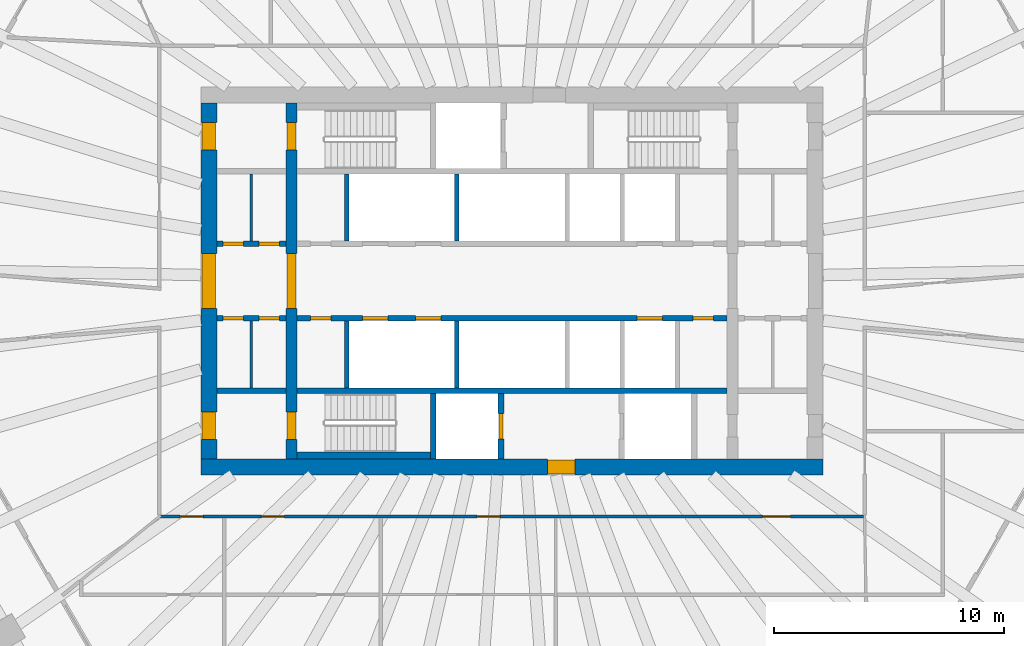
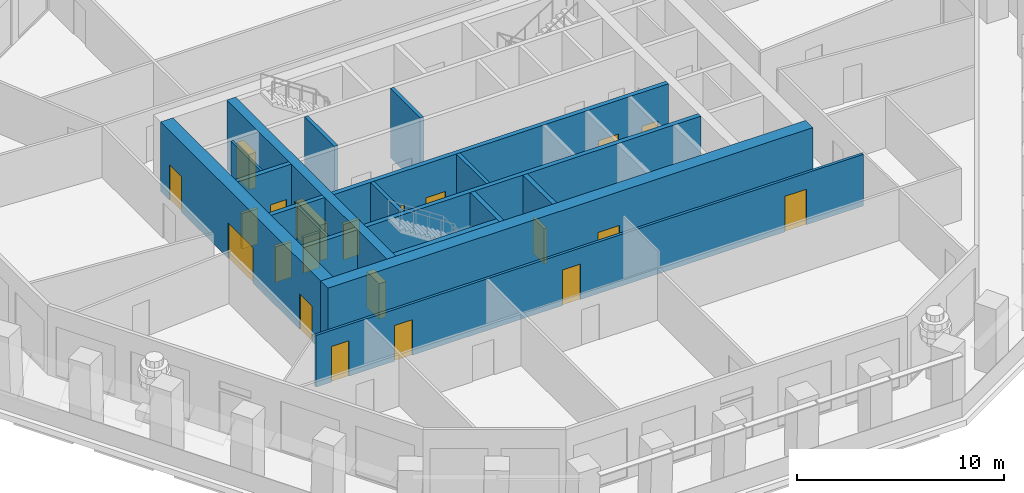
# One storey, part 4 of 12: 21 doors, 18 walls, 21 openings.
"""IFC4 building model written with IfcOpenShell, lengths in metres."""

from ifc_helpers import new_model, si_unit, direction, frame, frame_2d, origin, place, context, subcontext, project, spatial, rectangle, extrude, material, layer, layer_set, type_object, element, fill, save


model = new_model("IFC4")

# Units and contexts
model_context = context("Model", 3, precision=1e-05, world=origin(), true_north=direction((0.0, 1.0)))
body_context = subcontext(model_context, "Body", "Model", "MODEL_VIEW")
ifc_project = project(units=[si_unit("LENGTHUNIT", "METRE"), si_unit("AREAUNIT", "SQUARE_METRE"), si_unit("VOLUMEUNIT", "CUBIC_METRE"), si_unit("PLANEANGLEUNIT", "RADIAN"), si_unit("MASSUNIT", "GRAM", prefix="KILO")], contexts=[model_context])

# Site, building, storey
site_placement = place(None, origin())
site = spatial("IfcSite", under=ifc_project, at=site_placement, CompositionType="ELEMENT")
building_placement = place(site_placement, origin())
building = spatial("IfcBuilding", under=site, at=building_placement, Name="Frailejon Research Tower", CompositionType="ELEMENT")
storey_placement = place(building_placement, frame((0.0, 0.0, 162.800048828125)))
storey = spatial("IfcBuildingStorey", under=building, at=storey_placement, Name="L35", CompositionType="ELEMENT", Elevation=162.800048828125)

# Walls
ifc_material_1 = material(Name="Plasterboard on steel studs", Category="steel")
ifc_layer_1 = layer(ifc_material_1, 0.125)
ifc_layer_set_1 = layer_set([ifc_layer_1], Name="Core partition 125")
wall_type_1 = type_object("IfcWallType", Name="Core partition 125", PredefinedType="PARTITIONING", material=ifc_layer_set_1)
for number, where, z_axis, x_axis, name in (
    (1, (-11.35009765625, 1.75, 0.0), (0.0, 0.0, 1.0), (0.0, 1.0, 0.0), "Core partition"),
    (2, (-11.35009765625, -4.64990234375, 0.0), (0.0, 0.0, 1.0), (0.0, 1.0, 0.0), "Core partition"),
):
    element("IfcWall", number, at=place(storey_placement, frame(where, z_axis=z_axis, x_axis=x_axis)), inside=storey, type_object=wall_type_1, Name=name, PredefinedType="PARTITIONING", context=body_context, shape_type="SweptSolid", body=[
        extrude(rectangle(XDim=2.89990234375, YDim=0.125, at=frame_2d((1.449951171875, 0.0))), origin(), (0.0, 0.0, 1.0), 4.099853515625),
    ])

# Wall, openings, doors
ifc_material_2 = material(Name="Concrete C60/75", Category="concrete")
ifc_layer_2 = layer(ifc_material_2, 0.5)
ifc_layer_set_2 = layer_set([ifc_layer_2], Name="Core shear wall 500 C60/75")
wall_type_2 = type_object("IfcWallType", Name="Core shear wall 500 C60/75", PredefinedType="SHEAR", material=ifc_layer_set_2)
wall_1_placement = place(storey_placement, frame((-9.60009765625, -7.75, 0.0), z_axis=(0.0, 0.0, 1.0), x_axis=(0.0, 1.0, 0.0)))
wall_1 = element("IfcWall", 3, at=wall_1_placement, inside=storey, type_object=wall_type_2, Name="Core shear wall", PredefinedType="SHEAR", context=body_context, shape_type="SweptSolid", body=[
    extrude(rectangle(XDim=15.5, YDim=0.5, at=frame_2d((7.75, 0.0))), origin(), (0.0, 0.0, 1.0), 4.099853515625),
])
opening_1_placement = place(wall_1_placement, frame((6.550048828125, 0.0, 0.0)))
opening_1 = element("IfcOpeningElement", 4, at=opening_1_placement, cuts=wall_1, Name="Opening D2", PredefinedType="OPENING", context=body_context, shape_type="SweptSolid", body=[
    extrude(rectangle(XDim=2.39990234375, YDim=2.10009765625, at=frame_2d((1.199951171875, 1.050048828125))), frame((0.0, 0.260009765625, 0.0), z_axis=(0.0, -1.0, 0.0), x_axis=(1.0, 0.0, 0.0)), (0.0, 0.0, 1.0), 0.52001953125),
])
opening_2_placement = place(wall_1_placement, frame((13.449951171875, 0.0, 0.0)))
opening_2 = element("IfcOpeningElement", 5, at=opening_2_placement, cuts=wall_1, Name="Opening D1", PredefinedType="OPENING", context=body_context, shape_type="SweptSolid", body=[
    extrude(rectangle(XDim=1.199951171875, YDim=2.10009765625, at=frame_2d((0.60009765625, 1.050048828125))), frame((0.0, 0.260009765625, 0.0), z_axis=(0.0, -1.0, 0.0), x_axis=(1.0, 0.0, 0.0)), (0.0, 0.0, 1.0), 0.52001953125),
])
opening_3_placement = place(wall_1_placement, frame((0.85009765625, 0.0, 0.0)))
opening_3 = element("IfcOpeningElement", 6, at=opening_3_placement, cuts=wall_1, Name="Opening D1", PredefinedType="OPENING", context=body_context, shape_type="SweptSolid", body=[
    extrude(rectangle(XDim=1.199951171875, YDim=2.10009765625, at=frame_2d((0.60009765625, 1.050048828125))), frame((0.0, 0.260009765625, 0.0), z_axis=(0.0, -1.0, 0.0), x_axis=(1.0, 0.0, 0.0)), (0.0, 0.0, 1.0), 0.52001953125),
])
ifc_material_3 = material(Name="Steel", Category="steel")
door_type_1 = type_object("IfcDoorType", Name="Lobby double door", OperationType="DOUBLE_DOOR_SINGLE_SWING", PredefinedType="DOOR", material=ifc_material_3)
door_1_placement = place(opening_1_placement, origin())
door_1 = element("IfcDoor", 7, at=door_1_placement, inside=storey, type_object=door_type_1, Name="Lobby door", OperationType="DOUBLE_DOOR_SINGLE_SWING", OverallHeight=2.10009765625, OverallWidth=2.39990234375, PredefinedType="DOOR", context=body_context, shape_type="SweptSolid", body=[
    extrude(rectangle(XDim=2.39990234375, YDim=2.10009765625, at=frame_2d((1.199951171875, 1.050048828125))), frame((0.0, 0.199951171875, 0.0), z_axis=(0.0, -1.0, 0.0), x_axis=(1.0, 0.0, 0.0)), (0.0, 0.0, 1.0), 0.39990234375),
])
fill(opening_1, door_1)
ifc_material_4 = material(Name="Steel", Category="steel")
door_type_2 = type_object("IfcDoorType", Name="Stair door", OperationType="SINGLE_SWING_LEFT", PredefinedType="DOOR", material=ifc_material_4)
door_2_placement = place(opening_2_placement, origin())
door_2 = element("IfcDoor", 8, at=door_2_placement, inside=storey, type_object=door_type_2, Name="Stair door ST1", OperationType="SINGLE_SWING_LEFT", OverallHeight=2.10009765625, OverallWidth=1.199951171875, PredefinedType="DOOR", context=body_context, shape_type="SweptSolid", body=[
    extrude(rectangle(XDim=1.199951171875, YDim=2.10009765625, at=frame_2d((0.60009765625, 1.050048828125))), frame((0.0, 0.199951171875, 0.0), z_axis=(0.0, -1.0, 0.0), x_axis=(1.0, 0.0, 0.0)), (0.0, 0.0, 1.0), 0.39990234375),
])
fill(opening_2, door_2)
door_3_placement = place(opening_3_placement, origin())
door_3 = element("IfcDoor", 9, at=door_3_placement, inside=storey, type_object=door_type_2, Name="Stair door ST2", OperationType="SINGLE_SWING_LEFT", OverallHeight=2.10009765625, OverallWidth=1.199951171875, PredefinedType="DOOR", context=body_context, shape_type="SweptSolid", body=[
    extrude(rectangle(XDim=1.199951171875, YDim=2.10009765625, at=frame_2d((0.60009765625, 1.050048828125))), frame((0.0, 0.199951171875, 0.0), z_axis=(0.0, -1.0, 0.0), x_axis=(1.0, 0.0, 0.0)), (0.0, 0.0, 1.0), 0.39990234375),
])
fill(opening_3, door_3)

# Wall, opening, door
ifc_material_5 = material(Name="Concrete C60/75", Category="concrete")
ifc_layer_3 = layer(ifc_material_5, 0.699951171875)
ifc_layer_set_3 = layer_set([ifc_layer_3], Name="Core shear wall 700 C60/75")
wall_type_3 = type_object("IfcWallType", Name="Core shear wall 700 C60/75", PredefinedType="SHEAR", material=ifc_layer_set_3)
wall_2_placement = place(storey_placement, frame((-13.550048828125, -8.10009765625, 0.0), z_axis=(0.0, 0.0, 1.0), x_axis=(1.0, 0.0, 0.0)))
wall_2 = element("IfcWall", 10, at=wall_2_placement, inside=storey, type_object=wall_type_3, Name="Core shear wall", PredefinedType="SHEAR", context=body_context, shape_type="SweptSolid", body=[
    extrude(rectangle(XDim=27.10009765625, YDim=0.699951171875, at=frame_2d((13.550048828125, 0.0))), origin(), (0.0, 0.0, 1.0), 4.099853515625),
])
opening_4_placement = place(wall_2_placement, frame((15.10009765625, 0.0, 0.0)))
opening_4 = element("IfcOpeningElement", 11, at=opening_4_placement, cuts=wall_2, Name="Opening D3", PredefinedType="OPENING", context=body_context, shape_type="SweptSolid", body=[
    extrude(rectangle(XDim=1.199951171875, YDim=2.10009765625, at=frame_2d((0.60009765625, 1.050048828125))), frame((0.0, 0.35986328125, 0.0), z_axis=(0.0, -1.0, 0.0), x_axis=(1.0, 0.0, 0.0)), (0.0, 0.0, 1.0), 0.719970703125),
])
ifc_material_6 = material(Name="Steel", Category="steel")
door_type_3 = type_object("IfcDoorType", Name="Firefighting lobby door", OperationType="SINGLE_SWING_LEFT", PredefinedType="DOOR", material=ifc_material_6)
door_4_placement = place(opening_4_placement, origin())
door_4 = element("IfcDoor", 12, at=door_4_placement, inside=storey, type_object=door_type_3, Name="Firefighting lobby door", OperationType="SINGLE_SWING_LEFT", OverallHeight=2.10009765625, OverallWidth=1.199951171875, PredefinedType="DOOR", context=body_context, shape_type="SweptSolid", body=[
    extrude(rectangle(XDim=1.199951171875, YDim=2.10009765625, at=frame_2d((0.60009765625, 1.050048828125))), frame((0.0, 0.300048828125, 0.0), z_axis=(0.0, -1.0, 0.0), x_axis=(1.0, 0.0, 0.0)), (0.0, 0.0, 1.0), 0.60009765625),
])
fill(opening_4, door_4)

# Wall, openings, doors
wall_3_placement = place(storey_placement, frame((-13.199951171875, -7.75, 0.0), z_axis=(0.0, 0.0, 1.0), x_axis=(0.0, 1.0, 0.0)))
wall_3 = element("IfcWall", 13, at=wall_3_placement, inside=storey, type_object=wall_type_3, Name="Core shear wall", PredefinedType="SHEAR", context=body_context, shape_type="SweptSolid", body=[
    extrude(rectangle(XDim=15.5, YDim=0.699951171875, at=frame_2d((7.75, 0.0))), origin(), (0.0, 0.0, 1.0), 4.099853515625),
])
opening_5_placement = place(wall_3_placement, frame((6.550048828125, 0.0, 0.0)))
opening_5 = element("IfcOpeningElement", 14, at=opening_5_placement, cuts=wall_3, Name="Opening D2", PredefinedType="OPENING", context=body_context, shape_type="SweptSolid", body=[
    extrude(rectangle(XDim=2.39990234375, YDim=2.10009765625, at=frame_2d((1.199951171875, 1.050048828125))), frame((0.0, 0.35986328125, 0.0), z_axis=(0.0, -1.0, 0.0), x_axis=(1.0, 0.0, 0.0)), (0.0, 0.0, 1.0), 0.719970703125),
])
opening_6_placement = place(wall_3_placement, frame((13.449951171875, 0.0, 0.0)))
opening_6 = element("IfcOpeningElement", 15, at=opening_6_placement, cuts=wall_3, Name="Opening D7", PredefinedType="OPENING", context=body_context, shape_type="SweptSolid", body=[
    extrude(rectangle(XDim=1.199951171875, YDim=2.10009765625, at=frame_2d((0.60009765625, 1.050048828125))), frame((0.0, 0.35986328125, 0.0), z_axis=(0.0, -1.0, 0.0), x_axis=(1.0, 0.0, 0.0)), (0.0, 0.0, 1.0), 0.719970703125),
])
opening_7_placement = place(wall_3_placement, frame((0.85009765625, 0.0, 0.0)))
opening_7 = element("IfcOpeningElement", 16, at=opening_7_placement, cuts=wall_3, Name="Opening D7", PredefinedType="OPENING", context=body_context, shape_type="SweptSolid", body=[
    extrude(rectangle(XDim=1.199951171875, YDim=2.10009765625, at=frame_2d((0.60009765625, 1.050048828125))), frame((0.0, 0.35986328125, 0.0), z_axis=(0.0, -1.0, 0.0), x_axis=(1.0, 0.0, 0.0)), (0.0, 0.0, 1.0), 0.719970703125),
])
door_5_placement = place(opening_5_placement, origin())
door_5 = element("IfcDoor", 17, at=door_5_placement, inside=storey, type_object=door_type_1, Name="Lobby door", OperationType="DOUBLE_DOOR_SINGLE_SWING", OverallHeight=2.10009765625, OverallWidth=2.39990234375, PredefinedType="DOOR", context=body_context, shape_type="SweptSolid", body=[
    extrude(rectangle(XDim=2.39990234375, YDim=2.10009765625, at=frame_2d((1.199951171875, 1.050048828125))), frame((0.0, 0.300048828125, 0.0), z_axis=(0.0, -1.0, 0.0), x_axis=(1.0, 0.0, 0.0)), (0.0, 0.0, 1.0), 0.60009765625),
])
fill(opening_5, door_5)
ifc_material_7 = material(Name="Steel", Category="steel")
door_type_4 = type_object("IfcDoorType", Name="Stair exit door", OperationType="SINGLE_SWING_LEFT", PredefinedType="DOOR", material=ifc_material_7)
door_6_placement = place(opening_6_placement, origin())
door_6 = element("IfcDoor", 18, at=door_6_placement, inside=storey, type_object=door_type_4, Name="Stair exit door ST1", OperationType="SINGLE_SWING_RIGHT", OverallHeight=2.10009765625, OverallWidth=1.199951171875, PredefinedType="DOOR", context=body_context, shape_type="SweptSolid", body=[
    extrude(rectangle(XDim=1.199951171875, YDim=2.10009765625, at=frame_2d((0.60009765625, 1.050048828125))), frame((0.0, 0.300048828125, 0.0), z_axis=(0.0, -1.0, 0.0), x_axis=(1.0, 0.0, 0.0)), (0.0, 0.0, 1.0), 0.60009765625),
])
fill(opening_6, door_6)
door_7_placement = place(opening_7_placement, origin())
door_7 = element("IfcDoor", 19, at=door_7_placement, inside=storey, type_object=door_type_4, Name="Stair exit door ST2", OperationType="SINGLE_SWING_RIGHT", OverallHeight=2.10009765625, OverallWidth=1.199951171875, PredefinedType="DOOR", context=body_context, shape_type="SweptSolid", body=[
    extrude(rectangle(XDim=1.199951171875, YDim=2.10009765625, at=frame_2d((0.60009765625, 1.050048828125))), frame((0.0, 0.300048828125, 0.0), z_axis=(0.0, -1.0, 0.0), x_axis=(1.0, 0.0, 0.0)), (0.0, 0.0, 1.0), 0.60009765625),
])
fill(opening_7, door_7)

ifc_material_8 = material(Name="Gypsum board and masonry partition", Category="masonry")
ifc_layer_4 = layer(ifc_material_8, 0.14990234375)
ifc_layer_set_4 = layer_set([ifc_layer_4], Name="Corridor wall EI 60, gypsum on steel studs 150")
wall_type_4 = type_object("IfcWallType", Name="Corridor wall EI 60, gypsum on steel studs 150", PredefinedType="PARTITIONING", material=ifc_layer_set_4)
wall_4_placement = place(storey_placement, frame((-15.300048828125, -10.25, 0.0), z_axis=(0.0, 0.0, 1.0), x_axis=(1.0, 0.0, 0.0)))
wall_4 = element("IfcWall", 20, at=wall_4_placement, inside=storey, type_object=wall_type_4, Name="T:IW:L35:006", PredefinedType="PARTITIONING", context=body_context, shape_type="SweptSolid", body=[
    extrude(rectangle(XDim=30.60009765625, YDim=0.14990234375, at=frame_2d((15.300048828125, 0.0))), origin(), (0.0, 0.0, 1.0), 3.050048828125),
])
opening_8_placement = place(wall_4_placement, frame((0.8564453125, 0.0, 0.0)))
opening_8 = element("IfcOpeningElement", 21, at=opening_8_placement, cuts=wall_4, Name="Opening D1769", PredefinedType="OPENING", context=body_context, shape_type="SweptSolid", body=[
    extrude(rectangle(XDim=1.0, YDim=2.10009765625, at=frame_2d((0.5, 1.050048828125))), frame((0.0, 0.0849609375, 0.0), z_axis=(0.0, -1.0, 0.0), x_axis=(1.0, 0.0, 0.0)), (0.0, 0.0, 1.0), 0.169921875),
])
opening_9_placement = place(wall_4_placement, frame((4.3916015625, 0.0, 0.0)))
opening_9 = element("IfcOpeningElement", 22, at=opening_9_placement, cuts=wall_4, Name="Opening D1771", PredefinedType="OPENING", context=body_context, shape_type="SweptSolid", body=[
    extrude(rectangle(XDim=1.0, YDim=2.10009765625, at=frame_2d((0.5, 1.050048828125))), frame((0.0, 0.0849609375, 0.0), z_axis=(0.0, -1.0, 0.0), x_axis=(1.0, 0.0, 0.0)), (0.0, 0.0, 1.0), 0.169921875),
])
opening_10_placement = place(wall_4_placement, frame((13.781982421875, 0.0, 0.0)))
opening_10 = element("IfcOpeningElement", 23, at=opening_10_placement, cuts=wall_4, Name="Opening D1773", PredefinedType="OPENING", context=body_context, shape_type="SweptSolid", body=[
    extrude(rectangle(XDim=1.0, YDim=2.10009765625, at=frame_2d((0.5, 1.050048828125))), frame((0.0, 0.0849609375, 0.0), z_axis=(0.0, -1.0, 0.0), x_axis=(1.0, 0.0, 0.0)), (0.0, 0.0, 1.0), 0.169921875),
])
opening_11_placement = place(wall_4_placement, frame((26.21435546875, 0.0, 0.0)))
opening_11 = element("IfcOpeningElement", 24, at=opening_11_placement, cuts=wall_4, Name="Opening D1776", PredefinedType="OPENING", context=body_context, shape_type="SweptSolid", body=[
    extrude(rectangle(XDim=1.199951171875, YDim=2.10009765625, at=frame_2d((0.60009765625, 1.050048828125))), frame((0.0, 0.0849609375, 0.0), z_axis=(0.0, -1.0, 0.0), x_axis=(1.0, 0.0, 0.0)), (0.0, 0.0, 1.0), 0.169921875),
])
ifc_material_9 = material(Name="Timber door leaf", Category="wood")
door_type_5 = type_object("IfcDoorType", Name="Door laboratory, timber, vision panel 1000", OperationType="NOTDEFINED", PredefinedType="DOOR", material=ifc_material_9)
door_8_placement = place(opening_9_placement, origin())
door_8 = element("IfcDoor", 25, at=door_8_placement, inside=storey, type_object=door_type_5, Name="D1771", OperationType="SINGLE_SWING_RIGHT", OverallHeight=2.10009765625, OverallWidth=1.0, PredefinedType="DOOR", context=body_context, shape_type="SweptSolid", body=[
    extrude(rectangle(XDim=1.0, YDim=2.10009765625, at=frame_2d((0.5, 1.050048828125))), frame((0.0, 0.02490234375, 0.0), z_axis=(0.0, -1.0, 0.0), x_axis=(1.0, 0.0, 0.0)), (0.0, 0.0, 1.0), 0.050048828125),
])
fill(opening_9, door_8)
ifc_material_10 = material(Name="Timber door leaf", Category="wood")
door_type_6 = type_object("IfcDoorType", Name="Door single leaf, timber, steel frame 1000", OperationType="NOTDEFINED", PredefinedType="DOOR", material=ifc_material_10)
door_9_placement = place(opening_8_placement, origin())
door_9 = element("IfcDoor", 26, at=door_9_placement, inside=storey, type_object=door_type_6, Name="D1769", OperationType="SINGLE_SWING_LEFT", OverallHeight=2.10009765625, OverallWidth=1.0, PredefinedType="DOOR", context=body_context, shape_type="SweptSolid", body=[
    extrude(rectangle(XDim=1.0, YDim=2.10009765625, at=frame_2d((0.5, 1.050048828125))), frame((0.0, 0.02490234375, 0.0), z_axis=(0.0, -1.0, 0.0), x_axis=(1.0, 0.0, 0.0)), (0.0, 0.0, 1.0), 0.050048828125),
])
fill(opening_8, door_9)
door_10_placement = place(opening_10_placement, origin())
door_10 = element("IfcDoor", 27, at=door_10_placement, inside=storey, type_object=door_type_6, Name="D1773", OperationType="SINGLE_SWING_RIGHT", OverallHeight=2.10009765625, OverallWidth=1.0, PredefinedType="DOOR", context=body_context, shape_type="SweptSolid", body=[
    extrude(rectangle(XDim=1.0, YDim=2.10009765625, at=frame_2d((0.5, 1.050048828125))), frame((0.0, 0.02490234375, 0.0), z_axis=(0.0, -1.0, 0.0), x_axis=(1.0, 0.0, 0.0)), (0.0, 0.0, 1.0), 0.050048828125),
])
fill(opening_10, door_10)
ifc_material_11 = material(Name="Timber door leaf", Category="wood")
door_type_7 = type_object("IfcDoorType", Name="Door single leaf, timber, steel frame 1200", OperationType="NOTDEFINED", PredefinedType="DOOR", material=ifc_material_11)
door_11_placement = place(opening_11_placement, origin())
door_11 = element("IfcDoor", 28, at=door_11_placement, inside=storey, type_object=door_type_7, Name="D1776", OperationType="DOUBLE_DOOR_SINGLE_SWING", OverallHeight=2.10009765625, OverallWidth=1.199951171875, PredefinedType="DOOR", context=body_context, shape_type="SweptSolid", body=[
    extrude(rectangle(XDim=1.199951171875, YDim=2.10009765625, at=frame_2d((0.60009765625, 1.050048828125))), frame((0.0, 0.02490234375, 0.0), z_axis=(0.0, -1.0, 0.0), x_axis=(1.0, 0.0, 0.0)), (0.0, 0.0, 1.0), 0.050048828125),
])
fill(opening_11, door_11)

# Walls
ifc_material_12 = material(Name="Concrete C60/75", Category="concrete")
ifc_layer_5 = layer(ifc_material_12, 0.199951171875)
ifc_layer_set_5 = layer_set([ifc_layer_5], Name="Shaft wall 200 C60/75")
wall_type_5 = type_object("IfcWallType", Name="Shaft wall 200 C60/75", PredefinedType="SOLIDWALL", material=ifc_layer_set_5)
for number, where, z_axis, x_axis, name in (
    (29, (-7.199951171875, 1.75, 0.0), (0.0, 0.0, 1.0), (0.0, 1.0, 0.0), "Shaft wall"),
    (30, (-2.39990234375, 1.75, 0.0), (0.0, 0.0, 1.0), (0.0, 1.0, 0.0), "Shaft wall"),
    (31, (-7.199951171875, -4.64990234375, 0.0), (0.0, 0.0, 1.0), (0.0, 1.0, 0.0), "Shaft wall"),
    (32, (-2.39990234375, -4.64990234375, 0.0), (0.0, 0.0, 1.0), (0.0, 1.0, 0.0), "Shaft wall"),
):
    element("IfcWall", number, at=place(storey_placement, frame(where, z_axis=z_axis, x_axis=x_axis)), inside=storey, type_object=wall_type_5, Name=name, PredefinedType="SOLIDWALL", context=body_context, shape_type="SweptSolid", body=[
        extrude(rectangle(XDim=2.89990234375, YDim=0.199951171875, at=frame_2d((1.449951171875, 0.0))), origin(), (0.0, 0.0, 1.0), 4.099853515625),
    ])

# Wall, openings, doors
ifc_material_13 = material(Name="Concrete C60/75", Category="concrete")
ifc_layer_6 = layer(ifc_material_13, 0.25)
ifc_layer_set_6 = layer_set([ifc_layer_6], Name="Shaft wall 250 C60/75")
wall_type_6 = type_object("IfcWallType", Name="Shaft wall 250 C60/75", PredefinedType="SOLIDWALL", material=ifc_layer_set_6)
wall_5_placement = place(storey_placement, frame((-12.85009765625, 1.625, 0.0), z_axis=(0.0, 0.0, 1.0), x_axis=(1.0, 0.0, 0.0)))
wall_5 = element("IfcWall", 33, at=wall_5_placement, inside=storey, type_object=wall_type_6, Name="Shaft wall", PredefinedType="SOLIDWALL", context=body_context, shape_type="SweptSolid", body=[
    extrude(rectangle(XDim=3.0, YDim=0.25, at=frame_2d((1.5, 0.0))), origin(), (0.0, 0.0, 1.0), 4.099853515625),
])
opening_12_placement = place(wall_5_placement, frame((0.268798828125, 0.0, 0.0)))
opening_12 = element("IfcOpeningElement", 34, at=opening_12_placement, cuts=wall_5, Name="Opening D8", PredefinedType="OPENING", context=body_context, shape_type="SweptSolid", body=[
    extrude(rectangle(XDim=0.89990234375, YDim=2.10009765625, at=frame_2d((0.449951171875, 1.050048828125))), frame((0.0, 0.135009765625, 0.0), z_axis=(0.0, -1.0, 0.0), x_axis=(1.0, 0.0, 0.0)), (0.0, 0.0, 1.0), 0.27001953125),
])
opening_13_placement = place(wall_5_placement, frame((1.831298828125, 0.0, 0.0)))
opening_13 = element("IfcOpeningElement", 35, at=opening_13_placement, cuts=wall_5, Name="Opening D8", PredefinedType="OPENING", context=body_context, shape_type="SweptSolid", body=[
    extrude(rectangle(XDim=0.89990234375, YDim=2.10009765625, at=frame_2d((0.449951171875, 1.050048828125))), frame((0.0, 0.135009765625, 0.0), z_axis=(0.0, -1.0, 0.0), x_axis=(1.0, 0.0, 0.0)), (0.0, 0.0, 1.0), 0.27001953125),
])
ifc_material_14 = material(Name="Steel", Category="steel")
door_type_8 = type_object("IfcDoorType", Name="Core room door", OperationType="SINGLE_SWING_LEFT", PredefinedType="DOOR", material=ifc_material_14)
door_12_placement = place(opening_12_placement, origin())
door_12 = element("IfcDoor", 36, at=door_12_placement, inside=storey, type_object=door_type_8, Name="Room door", OperationType="SINGLE_SWING_LEFT", OverallHeight=2.10009765625, OverallWidth=0.89990234375, PredefinedType="DOOR", context=body_context, shape_type="SweptSolid", body=[
    extrude(rectangle(XDim=0.89990234375, YDim=2.10009765625, at=frame_2d((0.449951171875, 1.050048828125))), frame((0.0, 0.074951171875, 0.0), z_axis=(0.0, -1.0, 0.0), x_axis=(1.0, 0.0, 0.0)), (0.0, 0.0, 1.0), 0.14990234375),
])
fill(opening_12, door_12)
door_13_placement = place(opening_13_placement, origin())
door_13 = element("IfcDoor", 37, at=door_13_placement, inside=storey, type_object=door_type_8, Name="Room door", OperationType="SINGLE_SWING_RIGHT", OverallHeight=2.10009765625, OverallWidth=0.89990234375, PredefinedType="DOOR", context=body_context, shape_type="SweptSolid", body=[
    extrude(rectangle(XDim=0.89990234375, YDim=2.10009765625, at=frame_2d((0.449951171875, 1.050048828125))), frame((0.0, 0.074951171875, 0.0), z_axis=(0.0, -1.0, 0.0), x_axis=(1.0, 0.0, 0.0)), (0.0, 0.0, 1.0), 0.14990234375),
])
fill(opening_13, door_13)

wall_6_placement = place(storey_placement, frame((-12.85009765625, -1.625, 0.0), z_axis=(0.0, 0.0, 1.0), x_axis=(1.0, 0.0, 0.0)))
wall_6 = element("IfcWall", 38, at=wall_6_placement, inside=storey, type_object=wall_type_6, Name="Shaft wall", PredefinedType="SOLIDWALL", context=body_context, shape_type="SweptSolid", body=[
    extrude(rectangle(XDim=3.0, YDim=0.25, at=frame_2d((1.5, 0.0))), origin(), (0.0, 0.0, 1.0), 4.099853515625),
])
opening_14_placement = place(wall_6_placement, frame((0.268798828125, 0.0, 0.0)))
opening_14 = element("IfcOpeningElement", 39, at=opening_14_placement, cuts=wall_6, Name="Opening D8", PredefinedType="OPENING", context=body_context, shape_type="SweptSolid", body=[
    extrude(rectangle(XDim=0.89990234375, YDim=2.10009765625, at=frame_2d((0.449951171875, 1.050048828125))), frame((0.0, 0.135009765625, 0.0), z_axis=(0.0, -1.0, 0.0), x_axis=(1.0, 0.0, 0.0)), (0.0, 0.0, 1.0), 0.27001953125),
])
opening_15_placement = place(wall_6_placement, frame((1.831298828125, 0.0, 0.0)))
opening_15 = element("IfcOpeningElement", 40, at=opening_15_placement, cuts=wall_6, Name="Opening D8", PredefinedType="OPENING", context=body_context, shape_type="SweptSolid", body=[
    extrude(rectangle(XDim=0.89990234375, YDim=2.10009765625, at=frame_2d((0.449951171875, 1.050048828125))), frame((0.0, 0.135009765625, 0.0), z_axis=(0.0, -1.0, 0.0), x_axis=(1.0, 0.0, 0.0)), (0.0, 0.0, 1.0), 0.27001953125),
])
door_14_placement = place(opening_14_placement, origin())
door_14 = element("IfcDoor", 41, at=door_14_placement, inside=storey, type_object=door_type_8, Name="Room door", OperationType="SINGLE_SWING_LEFT", OverallHeight=2.10009765625, OverallWidth=0.89990234375, PredefinedType="DOOR", context=body_context, shape_type="SweptSolid", body=[
    extrude(rectangle(XDim=0.89990234375, YDim=2.10009765625, at=frame_2d((0.449951171875, 1.050048828125))), frame((0.0, 0.074951171875, 0.0), z_axis=(0.0, -1.0, 0.0), x_axis=(1.0, 0.0, 0.0)), (0.0, 0.0, 1.0), 0.14990234375),
])
fill(opening_14, door_14)
door_15_placement = place(opening_15_placement, origin())
door_15 = element("IfcDoor", 42, at=door_15_placement, inside=storey, type_object=door_type_8, Name="Room door", OperationType="SINGLE_SWING_RIGHT", OverallHeight=2.10009765625, OverallWidth=0.89990234375, PredefinedType="DOOR", context=body_context, shape_type="SweptSolid", body=[
    extrude(rectangle(XDim=0.89990234375, YDim=2.10009765625, at=frame_2d((0.449951171875, 1.050048828125))), frame((0.0, 0.074951171875, 0.0), z_axis=(0.0, -1.0, 0.0), x_axis=(1.0, 0.0, 0.0)), (0.0, 0.0, 1.0), 0.14990234375),
])
fill(opening_15, door_15)

wall_7_placement = place(storey_placement, frame((-9.35009765625, -1.625, 0.0), z_axis=(0.0, 0.0, 1.0), x_axis=(1.0, 0.0, 0.0)))
wall_7 = element("IfcWall", 43, at=wall_7_placement, inside=storey, type_object=wall_type_6, Name="Shaft wall", PredefinedType="SOLIDWALL", context=body_context, shape_type="SweptSolid", body=[
    extrude(rectangle(XDim=18.7001953125, YDim=0.25, at=frame_2d((9.35009765625, 0.0))), origin(), (0.0, 0.0, 1.0), 4.099853515625),
])
opening_16_placement = place(wall_7_placement, frame((2.85009765625, 0.0, 0.0)))
opening_16 = element("IfcOpeningElement", 44, at=opening_16_placement, cuts=wall_7, Name="Opening LD", PredefinedType="OPENING", context=body_context, shape_type="SweptSolid", body=[
    extrude(rectangle(XDim=1.10009765625, YDim=2.10009765625, at=frame_2d((0.550048828125, 1.050048828125))), frame((0.0, 0.135009765625, 0.0), z_axis=(0.0, -1.0, 0.0), x_axis=(1.0, 0.0, 0.0)), (0.0, 0.0, 1.0), 0.27001953125),
])
opening_17_placement = place(wall_7_placement, frame((5.14990234375, 0.0, 0.0)))
opening_17 = element("IfcOpeningElement", 45, at=opening_17_placement, cuts=wall_7, Name="Opening LD", PredefinedType="OPENING", context=body_context, shape_type="SweptSolid", body=[
    extrude(rectangle(XDim=1.10009765625, YDim=2.10009765625, at=frame_2d((0.550048828125, 1.050048828125))), frame((0.0, 0.135009765625, 0.0), z_axis=(0.0, -1.0, 0.0), x_axis=(1.0, 0.0, 0.0)), (0.0, 0.0, 1.0), 0.27001953125),
])
opening_18_placement = place(wall_7_placement, frame((14.800048828125, 0.0, 0.0)))
opening_18 = element("IfcOpeningElement", 46, at=opening_18_placement, cuts=wall_7, Name="Opening LD", PredefinedType="OPENING", context=body_context, shape_type="SweptSolid", body=[
    extrude(rectangle(XDim=1.10009765625, YDim=2.10009765625, at=frame_2d((0.550048828125, 1.050048828125))), frame((0.0, 0.135009765625, 0.0), z_axis=(0.0, -1.0, 0.0), x_axis=(1.0, 0.0, 0.0)), (0.0, 0.0, 1.0), 0.27001953125),
])
opening_19_placement = place(wall_7_placement, frame((0.574951171875, 0.0, 0.0)))
opening_19 = element("IfcOpeningElement", 47, at=opening_19_placement, cuts=wall_7, Name="Opening D8", PredefinedType="OPENING", context=body_context, shape_type="SweptSolid", body=[
    extrude(rectangle(XDim=0.89990234375, YDim=2.10009765625, at=frame_2d((0.449951171875, 1.050048828125))), frame((0.0, 0.135009765625, 0.0), z_axis=(0.0, -1.0, 0.0), x_axis=(1.0, 0.0, 0.0)), (0.0, 0.0, 1.0), 0.27001953125),
])
opening_20_placement = place(wall_7_placement, frame((17.22509765625, 0.0, 0.0)))
opening_20 = element("IfcOpeningElement", 48, at=opening_20_placement, cuts=wall_7, Name="Opening D8", PredefinedType="OPENING", context=body_context, shape_type="SweptSolid", body=[
    extrude(rectangle(XDim=0.89990234375, YDim=2.10009765625, at=frame_2d((0.449951171875, 1.050048828125))), frame((0.0, 0.135009765625, 0.0), z_axis=(0.0, -1.0, 0.0), x_axis=(1.0, 0.0, 0.0)), (0.0, 0.0, 1.0), 0.27001953125),
])
door_16_placement = place(opening_19_placement, origin())
door_16 = element("IfcDoor", 49, at=door_16_placement, inside=storey, type_object=door_type_8, Name="Room door", OperationType="SINGLE_SWING_LEFT", OverallHeight=2.10009765625, OverallWidth=0.89990234375, PredefinedType="DOOR", context=body_context, shape_type="SweptSolid", body=[
    extrude(rectangle(XDim=0.89990234375, YDim=2.10009765625, at=frame_2d((0.449951171875, 1.050048828125))), frame((0.0, 0.074951171875, 0.0), z_axis=(0.0, -1.0, 0.0), x_axis=(1.0, 0.0, 0.0)), (0.0, 0.0, 1.0), 0.14990234375),
])
fill(opening_19, door_16)
door_17_placement = place(opening_20_placement, origin())
door_17 = element("IfcDoor", 50, at=door_17_placement, inside=storey, type_object=door_type_8, Name="Room door", OperationType="SINGLE_SWING_RIGHT", OverallHeight=2.10009765625, OverallWidth=0.89990234375, PredefinedType="DOOR", context=body_context, shape_type="SweptSolid", body=[
    extrude(rectangle(XDim=0.89990234375, YDim=2.10009765625, at=frame_2d((0.449951171875, 1.050048828125))), frame((0.0, 0.074951171875, 0.0), z_axis=(0.0, -1.0, 0.0), x_axis=(1.0, 0.0, 0.0)), (0.0, 0.0, 1.0), 0.14990234375),
])
fill(opening_20, door_17)
ifc_material_15 = material(Name="Steel", Category="steel")
door_type_9 = type_object("IfcDoorType", Name="Lift landing door", OperationType="DOUBLE_DOOR_SLIDING", PredefinedType="DOOR", material=ifc_material_15)
door_18_placement = place(opening_16_placement, origin())
door_18 = element("IfcDoor", 51, at=door_18_placement, inside=storey, type_object=door_type_9, Name="Lift landing door", OperationType="DOUBLE_DOOR_SLIDING", OverallHeight=2.10009765625, OverallWidth=1.10009765625, PredefinedType="DOOR", context=body_context, shape_type="SweptSolid", body=[
    extrude(rectangle(XDim=1.10009765625, YDim=2.10009765625, at=frame_2d((0.550048828125, 1.050048828125))), frame((0.0, 0.074951171875, 0.0), z_axis=(0.0, -1.0, 0.0), x_axis=(1.0, 0.0, 0.0)), (0.0, 0.0, 1.0), 0.14990234375),
])
fill(opening_16, door_18)
door_19_placement = place(opening_17_placement, origin())
door_19 = element("IfcDoor", 52, at=door_19_placement, inside=storey, type_object=door_type_9, Name="Lift landing door", OperationType="DOUBLE_DOOR_SLIDING", OverallHeight=2.10009765625, OverallWidth=1.10009765625, PredefinedType="DOOR", context=body_context, shape_type="SweptSolid", body=[
    extrude(rectangle(XDim=1.10009765625, YDim=2.10009765625, at=frame_2d((0.550048828125, 1.050048828125))), frame((0.0, 0.074951171875, 0.0), z_axis=(0.0, -1.0, 0.0), x_axis=(1.0, 0.0, 0.0)), (0.0, 0.0, 1.0), 0.14990234375),
])
fill(opening_17, door_19)
door_20_placement = place(opening_18_placement, origin())
door_20 = element("IfcDoor", 53, at=door_20_placement, inside=storey, type_object=door_type_9, Name="Lift landing door", OperationType="DOUBLE_DOOR_SLIDING", OverallHeight=2.10009765625, OverallWidth=1.10009765625, PredefinedType="DOOR", context=body_context, shape_type="SweptSolid", body=[
    extrude(rectangle(XDim=1.10009765625, YDim=2.10009765625, at=frame_2d((0.550048828125, 1.050048828125))), frame((0.0, 0.074951171875, 0.0), z_axis=(0.0, -1.0, 0.0), x_axis=(1.0, 0.0, 0.0)), (0.0, 0.0, 1.0), 0.14990234375),
])
fill(opening_18, door_20)

# Walls
wall_8_placement = place(storey_placement, frame((-12.85009765625, -4.77490234375, 0.0), z_axis=(0.0, 0.0, 1.0), x_axis=(1.0, 0.0, 0.0)))
element("IfcWall", 54, at=wall_8_placement, inside=storey, type_object=wall_type_6, Name="Shaft wall", PredefinedType="SOLIDWALL", context=body_context, shape_type="SweptSolid", body=[
    extrude(rectangle(XDim=3.0, YDim=0.25, at=frame_2d((1.5, 0.0))), origin(), (0.0, 0.0, 1.0), 4.099853515625),
])
wall_9_placement = place(storey_placement, frame((-9.35009765625, -4.77490234375, 0.0), z_axis=(0.0, 0.0, 1.0), x_axis=(1.0, 0.0, 0.0)))
element("IfcWall", 55, at=wall_9_placement, inside=storey, type_object=wall_type_6, Name="Shaft wall", PredefinedType="SOLIDWALL", context=body_context, shape_type="SweptSolid", body=[
    extrude(rectangle(XDim=18.7001953125, YDim=0.25, at=frame_2d((9.35009765625, 0.0))), origin(), (0.0, 0.0, 1.0), 4.099853515625),
])
wall_10_placement = place(storey_placement, frame((-3.425048828125, -7.75, 0.0), z_axis=(0.0, 0.0, 1.0), x_axis=(0.0, 1.0, 0.0)))
element("IfcWall", 56, at=wall_10_placement, inside=storey, type_object=wall_type_6, Name="Shaft wall", PredefinedType="SOLIDWALL", context=body_context, shape_type="SweptSolid", body=[
    extrude(rectangle(XDim=2.85009765625, YDim=0.25, at=frame_2d((1.425048828125, 0.0))), origin(), (0.0, 0.0, 1.0), 4.099853515625),
])

# Wall, opening, door
wall_11_placement = place(storey_placement, frame((-0.47509765625, -7.75, 0.0), z_axis=(0.0, 0.0, 1.0), x_axis=(0.0, 1.0, 0.0)))
wall_11 = element("IfcWall", 57, at=wall_11_placement, inside=storey, type_object=wall_type_6, Name="Shaft wall", PredefinedType="SOLIDWALL", context=body_context, shape_type="SweptSolid", body=[
    extrude(rectangle(XDim=2.85009765625, YDim=0.25, at=frame_2d((1.425048828125, 0.0))), origin(), (0.0, 0.0, 1.0), 4.099853515625),
])
opening_21_placement = place(wall_11_placement, frame((0.875, 0.0, 0.0)))
opening_21 = element("IfcOpeningElement", 58, at=opening_21_placement, cuts=wall_11, Name="Opening LD", PredefinedType="OPENING", context=body_context, shape_type="SweptSolid", body=[
    extrude(rectangle(XDim=1.10009765625, YDim=2.10009765625, at=frame_2d((0.550048828125, 1.050048828125))), frame((0.0, 0.135009765625, 0.0), z_axis=(0.0, -1.0, 0.0), x_axis=(1.0, 0.0, 0.0)), (0.0, 0.0, 1.0), 0.27001953125),
])
door_21_placement = place(opening_21_placement, origin())
door_21 = element("IfcDoor", 59, at=door_21_placement, inside=storey, type_object=door_type_9, Name="Lift landing door", OperationType="DOUBLE_DOOR_SLIDING", OverallHeight=2.10009765625, OverallWidth=1.10009765625, PredefinedType="DOOR", context=body_context, shape_type="SweptSolid", body=[
    extrude(rectangle(XDim=1.10009765625, YDim=2.10009765625, at=frame_2d((0.550048828125, 1.050048828125))), frame((0.0, 0.074951171875, 0.0), z_axis=(0.0, -1.0, 0.0), x_axis=(1.0, 0.0, 0.0)), (0.0, 0.0, 1.0), 0.14990234375),
])
fill(opening_21, door_21)

# Wall
ifc_material_16 = material(Name="Concrete C60/75", Category="concrete")
ifc_layer_7 = layer(ifc_material_16, 0.300048828125)
ifc_layer_set_7 = layer_set([ifc_layer_7], Name="Shaft wall 300 C60/75")
wall_type_7 = type_object("IfcWallType", Name="Shaft wall 300 C60/75", PredefinedType="SOLIDWALL", material=ifc_layer_set_7)
wall_12_placement = place(storey_placement, frame((-9.35009765625, -7.60009765625, 0.0), z_axis=(0.0, 0.0, 1.0), x_axis=(1.0, 0.0, 0.0)))
element("IfcWall", 60, at=wall_12_placement, inside=storey, type_object=wall_type_7, Name="Shaft wall", PredefinedType="SOLIDWALL", context=body_context, shape_type="SweptSolid", body=[
    extrude(rectangle(XDim=5.800048828125, YDim=0.300048828125, at=frame_2d((2.89990234375, 0.0))), origin(), (0.0, 0.0, 1.0), 4.099853515625),
])

save(model, "model.ifc")
